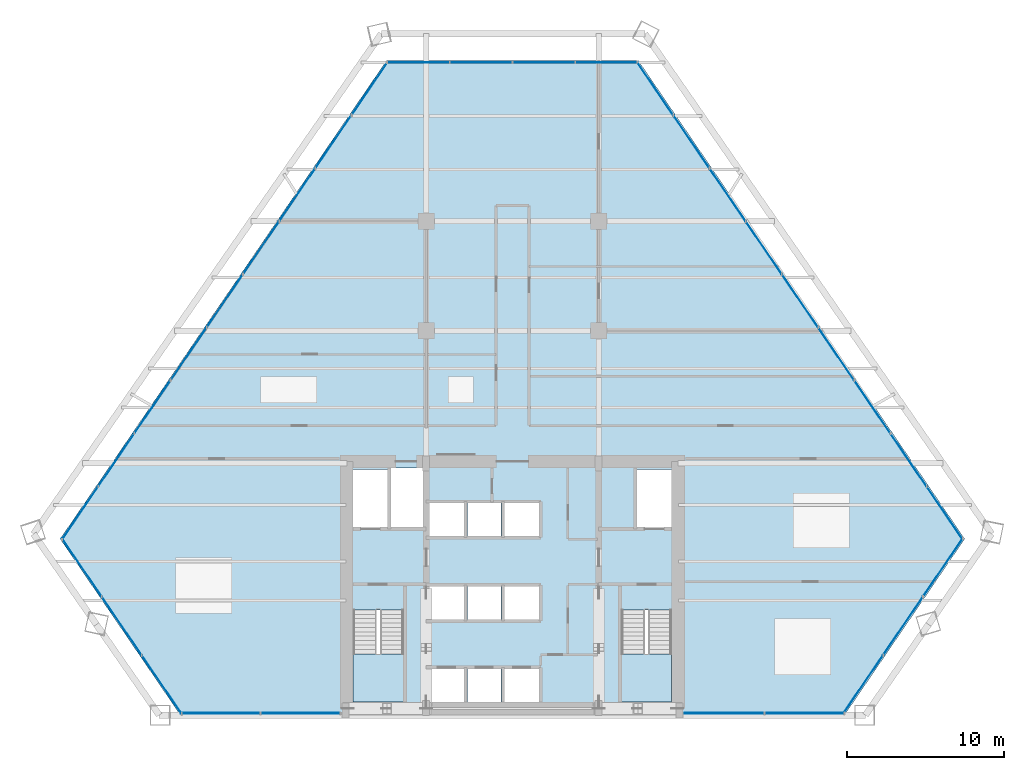
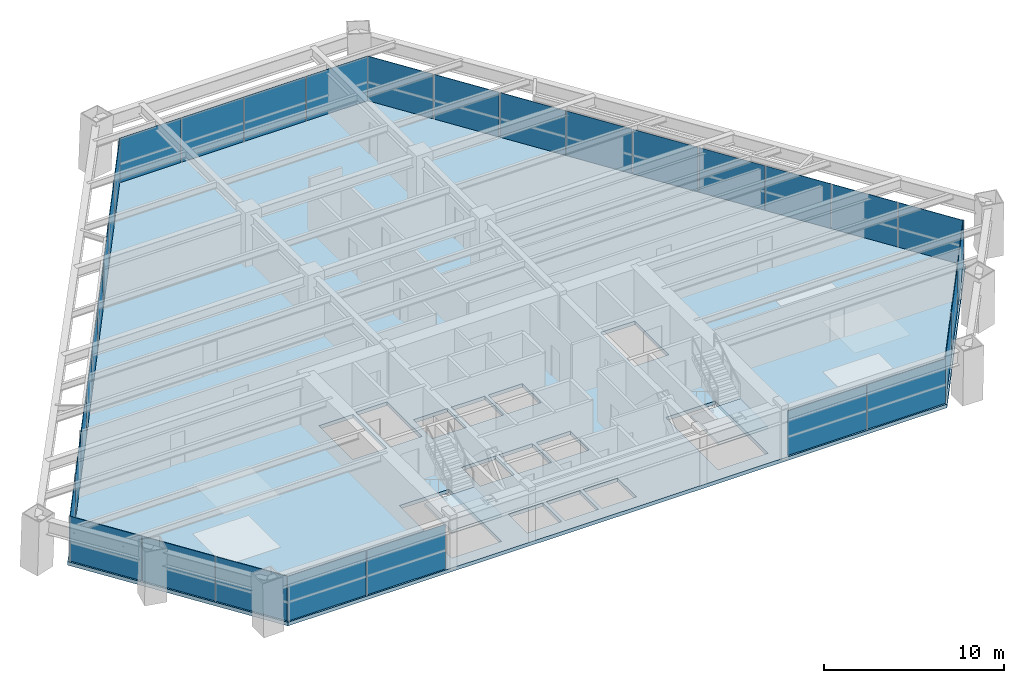
# One storey, part 9 of 13: 32 plates, 3 slabs, 9 elements without a shape of their own.
"""IFC4 building model written with IfcOpenShell, lengths in metres."""

from ifc_helpers import new_model, si_unit, direction, frame, origin, origin_2d, place, context, subcontext, project, spatial, polyline, rectangle, outline, extrude, source, transform, mapped, material, layer, layer_set, type_object, type_shapes, element, aggregate, save


model = new_model("IFC4")

# Units and contexts
model_context = context("Model", 3, precision=1e-05, world=origin(), true_north=direction((0.0, 1.0)))
body_context = subcontext(model_context, "Body", "Model", "MODEL_VIEW")
ifc_project = project(units=[si_unit("LENGTHUNIT", "METRE"), si_unit("AREAUNIT", "SQUARE_METRE"), si_unit("VOLUMEUNIT", "CUBIC_METRE"), si_unit("PLANEANGLEUNIT", "RADIAN"), si_unit("MASSUNIT", "GRAM", prefix="KILO")], contexts=[model_context])

# Site, building, storey
site_placement = place(None, origin())
site = spatial("IfcSite", under=ifc_project, at=site_placement, CompositionType="ELEMENT")
building_placement = place(site_placement, origin())
building = spatial("IfcBuilding", under=site, at=building_placement, Name="Varnakhor Terracotta Tower", CompositionType="ELEMENT")
storey_placement = place(building_placement, frame((0.0, 0.0, 27.5)))
storey = spatial("IfcBuildingStorey", under=building, at=storey_placement, Name="L05", CompositionType="ELEMENT", Elevation=27.5)

# Stair, slab
ifc_material_1 = material(Name="Concrete C40/50", Category="concrete")
stair_type = type_object("IfcStairType", Name="STR-CORE-OFFICE-1500", PredefinedType="HALF_TURN_STAIR", material=ifc_material_1)
stair_1_placement = place(storey_placement, origin())
stair_1 = element("IfcStair", 1, at=stair_1_placement, inside=storey, type_object=stair_type, Name="L05 Core Exit Stair ST-1", PredefinedType="HALF_TURN_STAIR")
ifc_layer_1 = layer(ifc_material_1, 0.179931640625, Name="Concrete C40/50")
ifc_layer_set_1 = layer_set([ifc_layer_1], Name="Concrete C40/50")
slab_type_1 = type_object("IfcSlabType", Name="SLB-LANDING-180", PredefinedType="LANDING", material=ifc_layer_set_1)
slab_1_placement = place(storey_placement, frame((0.0, 0.0, 1.64990234375)))
slab_1 = element("IfcSlab", 2, at=slab_1_placement, type_object=slab_type_1, Name="ST-1 landing 1", PredefinedType="LANDING", context=body_context, shape_type="SweptSolid", body=[
    extrude(outline(polyline([(-10.14990234375, 3.909912109375), (-10.14990234375, 0.85009765625), (-6.949951171875, 0.85009765625), (-6.949951171875, 3.909912109375), (-10.14990234375, 3.909912109375)])), origin(), (0.0, 0.0, 1.0), 0.2001953125),
])
aggregate(stair_1, [slab_1])

stair_2_placement = place(storey_placement, origin())
stair_2 = element("IfcStair", 3, at=stair_2_placement, inside=storey, type_object=stair_type, Name="L05 Core Exit Stair ST-2", PredefinedType="HALF_TURN_STAIR")
slab_2_placement = place(storey_placement, frame((0.0, 0.0, 1.64990234375)))
slab_2 = element("IfcSlab", 4, at=slab_2_placement, type_object=slab_type_1, Name="ST-2 landing 1", PredefinedType="LANDING", context=body_context, shape_type="SweptSolid", body=[
    extrude(outline(polyline([(6.949951171875, 3.909912109375), (6.949951171875, 0.85009765625), (10.14990234375, 0.85009765625), (10.14990234375, 3.909912109375), (6.949951171875, 3.909912109375)])), origin(), (0.0, 0.0, 1.0), 0.2001953125),
])
aggregate(stair_2, [slab_2])

# Slab
ifc_layer_2 = layer(ifc_material_1, 0.25, Name="Concrete C40/50")
ifc_layer_set_2 = layer_set([ifc_layer_2], Name="Concrete C40/50")
slab_type_2 = type_object("IfcSlabType", Name="SLB-OFF-250", PredefinedType="FLOOR", material=ifc_layer_set_2)
slab_3_placement = place(storey_placement, frame((0.0, 0.0, -0.25)))
element("IfcSlab", 5, at=slab_3_placement, inside=storey, type_object=slab_type_2, Name="L05 Structural Floor Slab", PredefinedType="FLOOR", context=body_context, shape_type="SweptSolid", body=[
    extrude(outline(polyline([(-28.8349609375, 11.235107421875), (-8.030029296875, 41.72998046875), (8.030029296875, 41.72998046875), (28.8349609375, 11.235107421875), (21.169921875, 0.0), (-21.169921875, 0.0), (-28.8349609375, 11.235107421875)]), holes=[polyline([(-3.10009765625, 0.85009765625), (-3.10009765625, 2.949951171875), (-5.300048828125, 2.949951171875), (-5.300048828125, 0.85009765625), (-3.10009765625, 0.85009765625)]), polyline([(-2.8798828125, 0.85009765625), (-0.719970703125, 0.85009765625), (-0.719970703125, 2.949951171875), (-2.8798828125, 2.949951171875), (-2.8798828125, 0.85009765625)]), polyline([(-10.14990234375, 0.85009765625), (-6.949951171875, 0.85009765625), (-6.949951171875, 6.695068359375), (-10.14990234375, 6.695068359375), (-10.14990234375, 0.85009765625)]), polyline([(-5.300048828125, 6.10009765625), (-3.10009765625, 6.10009765625), (-3.10009765625, 8.199951171875), (-5.300048828125, 8.199951171875), (-5.300048828125, 6.10009765625)]), polyline([(-5.300048828125, 11.419921875), (-3.10009765625, 11.419921875), (-3.10009765625, 13.52001953125), (-5.300048828125, 13.52001953125), (-5.300048828125, 11.419921875)]), polyline([(-10.14990234375, 11.8798828125), (-7.949951171875, 11.8798828125), (-7.949951171875, 15.64990234375), (-10.14990234375, 15.64990234375), (-10.14990234375, 11.8798828125)]), polyline([(-7.72998046875, 11.8798828125), (-5.699951171875, 11.8798828125), (-5.699951171875, 15.75), (-7.72998046875, 15.75), (-7.72998046875, 11.8798828125)]), polyline([(1.699951171875, 0.85009765625), (1.699951171875, 2.949951171875), (-0.5, 2.949951171875), (-0.5, 0.85009765625), (1.699951171875, 0.85009765625)]), polyline([(6.949951171875, 0.85009765625), (10.14990234375, 0.85009765625), (10.14990234375, 6.695068359375), (6.949951171875, 6.695068359375), (6.949951171875, 0.85009765625)]), polyline([(-2.8798828125, 6.10009765625), (-0.719970703125, 6.10009765625), (-0.719970703125, 8.199951171875), (-2.8798828125, 8.199951171875), (-2.8798828125, 6.10009765625)]), polyline([(-0.5, 6.10009765625), (1.699951171875, 6.10009765625), (1.699951171875, 8.199951171875), (-0.5, 8.199951171875), (-0.5, 6.10009765625)]), polyline([(-2.8798828125, 11.419921875), (-0.719970703125, 11.419921875), (-0.719970703125, 13.52001953125), (-2.8798828125, 13.52001953125), (-2.8798828125, 11.419921875)]), polyline([(-0.5, 11.419921875), (1.699951171875, 11.419921875), (1.699951171875, 13.52001953125), (-0.5, 13.52001953125), (-0.5, 11.419921875)]), polyline([(7.949951171875, 11.8798828125), (10.14990234375, 11.8798828125), (10.14990234375, 15.64990234375), (7.949951171875, 15.64990234375), (7.949951171875, 11.8798828125)])]), origin(), (0.0, 0.0, 1.0), 0.25),
])

# Curtain wall, plates
ifc_material_2 = material(Name="Anodised Aluminium Curtain Wall System", Category="aluminium")
curtain_wall_type = type_object("IfcCurtainWallType", Name="CW-SYS-LOW-OFFICE", PredefinedType="NOTDEFINED", material=ifc_material_2)
curtain_wall_1_placement = place(storey_placement, origin())
curtain_wall_1 = element("IfcCurtainWall", 6, at=curtain_wall_1_placement, inside=storey, type_object=curtain_wall_type, Name="L05 Facet Curtain Wall 1", PredefinedType="NOTDEFINED")
ifc_material_3 = material(Name="Solar-Control Low-E Insulated Glass Panel", Category="glass")
ifc_layer_3 = layer(ifc_material_3, 0.0380859375, Name="Solar-Control Low-E Insulated Glass Panel")
ifc_layer_set_3 = layer_set([ifc_layer_3], Name="Solar-Control Low-E Insulated Glass Panel")
plate_type = type_object("IfcPlateType", Name="CWP-02", PredefinedType="CURTAIN_PANEL", material=ifc_layer_set_3)
shared_shape_1 = source(origin(), body_context, "Body", "SweptSolid", [
    extrude(rectangle(XDim=4.05517578125, YDim=0.035888671875, at=origin_2d()), origin(), (0.0, 0.0, 1.0), 3.030029296875),
])
type_shapes(plate_type, [shared_shape_1])
plate_1_placement = place(storey_placement, frame((-27.56494140625, 12.883544921875, 0.0), z_axis=(0.0, 0.0, 1.0), x_axis=(0.563569302571, 0.826068787208, 0.0)))
plate_1 = element("IfcPlate", 7, at=plate_1_placement, type_object=plate_type, Name="L05 Facet Curtain Wall 1 Glazed Panel 1", PredefinedType="CURTAIN_PANEL", context=body_context, shape_type="MappedRepresentation", body=[
    mapped(shared_shape_1, transform((0.0, 0.0, 0.0), scale=1.0)),
])
plate_2_placement = place(storey_placement, frame((-25.257080078125, 16.266357421875, 0.0), z_axis=(0.0, 0.0, 1.0), x_axis=(0.563569302571, 0.826068787208, 0.0)))
plate_2 = element("IfcPlate", 8, at=plate_2_placement, type_object=plate_type, Name="L05 Facet Curtain Wall 1 Glazed Panel 2", PredefinedType="CURTAIN_PANEL", context=body_context, shape_type="MappedRepresentation", body=[
    mapped(shared_shape_1, transform((0.0, 0.0, 0.0), scale=1.0)),
])
plate_3_placement = place(storey_placement, frame((-22.94921875, 19.649169921875, 0.0), z_axis=(0.0, 0.0, 1.0), x_axis=(0.563569302571, 0.826068787208, 0.0)))
plate_3 = element("IfcPlate", 9, at=plate_3_placement, type_object=plate_type, Name="L05 Facet Curtain Wall 1 Glazed Panel 3", PredefinedType="CURTAIN_PANEL", context=body_context, shape_type="MappedRepresentation", body=[
    mapped(shared_shape_1, transform((0.0, 0.0, 0.0), scale=1.0)),
])
plate_4_placement = place(storey_placement, frame((-20.64111328125, 23.031982421875, 0.0), z_axis=(0.0, 0.0, 1.0), x_axis=(0.563569302571, 0.826068787208, 0.0)))
plate_4 = element("IfcPlate", 10, at=plate_4_placement, type_object=plate_type, Name="L05 Facet Curtain Wall 1 Glazed Panel 4", PredefinedType="CURTAIN_PANEL", context=body_context, shape_type="MappedRepresentation", body=[
    mapped(shared_shape_1, transform((0.0, 0.0, 0.0), scale=1.0)),
])
plate_5_placement = place(storey_placement, frame((-18.33349609375, 26.414794921875, 0.0), z_axis=(0.0, 0.0, 1.0), x_axis=(0.563569302571, 0.826068787208, 0.0)))
plate_5 = element("IfcPlate", 11, at=plate_5_placement, type_object=plate_type, Name="L05 Facet Curtain Wall 1 Glazed Panel 5", PredefinedType="CURTAIN_PANEL", context=body_context, shape_type="MappedRepresentation", body=[
    mapped(shared_shape_1, transform((0.0, 0.0, 0.0), scale=1.0)),
])
plate_6_placement = place(storey_placement, frame((-16.025390625, 29.797607421875, 0.0), z_axis=(0.0, 0.0, 1.0), x_axis=(0.563569302571, 0.826068787208, 0.0)))
plate_6 = element("IfcPlate", 12, at=plate_6_placement, type_object=plate_type, Name="L05 Facet Curtain Wall 1 Glazed Panel 6", PredefinedType="CURTAIN_PANEL", context=body_context, shape_type="MappedRepresentation", body=[
    mapped(shared_shape_1, transform((0.0, 0.0, 0.0), scale=1.0)),
])
plate_7_placement = place(storey_placement, frame((-13.717529296875, 33.180419921875, 0.0), z_axis=(0.0, 0.0, 1.0), x_axis=(0.563569302571, 0.826068787208, 0.0)))
plate_7 = element("IfcPlate", 13, at=plate_7_placement, type_object=plate_type, Name="L05 Facet Curtain Wall 1 Glazed Panel 7", PredefinedType="CURTAIN_PANEL", context=body_context, shape_type="MappedRepresentation", body=[
    mapped(shared_shape_1, transform((0.0, 0.0, 0.0), scale=1.0)),
])
plate_8_placement = place(storey_placement, frame((-11.40966796875, 36.563232421875, 0.0), z_axis=(0.0, 0.0, 1.0), x_axis=(0.563569302571, 0.826068787208, 0.0)))
plate_8 = element("IfcPlate", 14, at=plate_8_placement, type_object=plate_type, Name="L05 Facet Curtain Wall 1 Glazed Panel 8", PredefinedType="CURTAIN_PANEL", context=body_context, shape_type="MappedRepresentation", body=[
    mapped(shared_shape_1, transform((0.0, 0.0, 0.0), scale=1.0)),
])
plate_9_placement = place(storey_placement, frame((-9.101806640625, 39.9462890625, 0.0), z_axis=(0.0, 0.0, 1.0), x_axis=(0.563569302571, 0.826068787208, 0.0)))
plate_9 = element("IfcPlate", 15, at=plate_9_placement, type_object=plate_type, Name="L05 Facet Curtain Wall 1 Glazed Panel 9", PredefinedType="CURTAIN_PANEL", context=body_context, shape_type="MappedRepresentation", body=[
    mapped(shared_shape_1, transform((0.0, 0.0, 0.0), scale=1.0)),
])
aggregate(curtain_wall_1, [plate_1, plate_2, plate_3, plate_4, plate_5, plate_6, plate_7, plate_8, plate_9])

curtain_wall_2_placement = place(storey_placement, origin())
curtain_wall_2 = element("IfcCurtainWall", 16, at=curtain_wall_2_placement, inside=storey, type_object=curtain_wall_type, Name="L05 Facet Curtain Wall 3", PredefinedType="NOTDEFINED")
plate_10_placement = place(storey_placement, frame((9.101806640625, 39.9462890625, 0.0), z_axis=(0.0, 0.0, 1.0), x_axis=(0.563569302571, -0.826068787208, 0.0)))
plate_10 = element("IfcPlate", 17, at=plate_10_placement, type_object=plate_type, Name="L05 Facet Curtain Wall 3 Glazed Panel 1", PredefinedType="CURTAIN_PANEL", context=body_context, shape_type="MappedRepresentation", body=[
    mapped(shared_shape_1, transform((0.0, 0.0, 0.0), scale=1.0)),
])
plate_11_placement = place(storey_placement, frame((11.40966796875, 36.563232421875, 0.0), z_axis=(0.0, 0.0, 1.0), x_axis=(0.563569302571, -0.826068787208, 0.0)))
plate_11 = element("IfcPlate", 18, at=plate_11_placement, type_object=plate_type, Name="L05 Facet Curtain Wall 3 Glazed Panel 2", PredefinedType="CURTAIN_PANEL", context=body_context, shape_type="MappedRepresentation", body=[
    mapped(shared_shape_1, transform((0.0, 0.0, 0.0), scale=1.0)),
])
plate_12_placement = place(storey_placement, frame((13.717529296875, 33.180419921875, 0.0), z_axis=(0.0, 0.0, 1.0), x_axis=(0.563569302571, -0.826068787208, 0.0)))
plate_12 = element("IfcPlate", 19, at=plate_12_placement, type_object=plate_type, Name="L05 Facet Curtain Wall 3 Glazed Panel 3", PredefinedType="CURTAIN_PANEL", context=body_context, shape_type="MappedRepresentation", body=[
    mapped(shared_shape_1, transform((0.0, 0.0, 0.0), scale=1.0)),
])
plate_13_placement = place(storey_placement, frame((16.025390625, 29.797607421875, 0.0), z_axis=(0.0, 0.0, 1.0), x_axis=(0.563569302571, -0.826068787208, 0.0)))
plate_13 = element("IfcPlate", 20, at=plate_13_placement, type_object=plate_type, Name="L05 Facet Curtain Wall 3 Glazed Panel 4", PredefinedType="CURTAIN_PANEL", context=body_context, shape_type="MappedRepresentation", body=[
    mapped(shared_shape_1, transform((0.0, 0.0, 0.0), scale=1.0)),
])
plate_14_placement = place(storey_placement, frame((18.33349609375, 26.414794921875, 0.0), z_axis=(0.0, 0.0, 1.0), x_axis=(0.563569302571, -0.826068787208, 0.0)))
plate_14 = element("IfcPlate", 21, at=plate_14_placement, type_object=plate_type, Name="L05 Facet Curtain Wall 3 Glazed Panel 5", PredefinedType="CURTAIN_PANEL", context=body_context, shape_type="MappedRepresentation", body=[
    mapped(shared_shape_1, transform((0.0, 0.0, 0.0), scale=1.0)),
])
plate_15_placement = place(storey_placement, frame((20.64111328125, 23.031982421875, 0.0), z_axis=(0.0, 0.0, 1.0), x_axis=(0.563569302571, -0.826068787208, 0.0)))
plate_15 = element("IfcPlate", 22, at=plate_15_placement, type_object=plate_type, Name="L05 Facet Curtain Wall 3 Glazed Panel 6", PredefinedType="CURTAIN_PANEL", context=body_context, shape_type="MappedRepresentation", body=[
    mapped(shared_shape_1, transform((0.0, 0.0, 0.0), scale=1.0)),
])
plate_16_placement = place(storey_placement, frame((22.94921875, 19.649169921875, 0.0), z_axis=(0.0, 0.0, 1.0), x_axis=(0.563569302571, -0.826068787208, 0.0)))
plate_16 = element("IfcPlate", 23, at=plate_16_placement, type_object=plate_type, Name="L05 Facet Curtain Wall 3 Glazed Panel 7", PredefinedType="CURTAIN_PANEL", context=body_context, shape_type="MappedRepresentation", body=[
    mapped(shared_shape_1, transform((0.0, 0.0, 0.0), scale=1.0)),
])
plate_17_placement = place(storey_placement, frame((25.257080078125, 16.266357421875, 0.0), z_axis=(0.0, 0.0, 1.0), x_axis=(0.563569302571, -0.826068787208, 0.0)))
plate_17 = element("IfcPlate", 24, at=plate_17_placement, type_object=plate_type, Name="L05 Facet Curtain Wall 3 Glazed Panel 8", PredefinedType="CURTAIN_PANEL", context=body_context, shape_type="MappedRepresentation", body=[
    mapped(shared_shape_1, transform((0.0, 0.0, 0.0), scale=1.0)),
])
plate_18_placement = place(storey_placement, frame((27.56494140625, 12.883544921875, 0.0), z_axis=(0.0, 0.0, 1.0), x_axis=(0.563569302571, -0.826068787208, 0.0)))
plate_18 = element("IfcPlate", 25, at=plate_18_placement, type_object=plate_type, Name="L05 Facet Curtain Wall 3 Glazed Panel 9", PredefinedType="CURTAIN_PANEL", context=body_context, shape_type="MappedRepresentation", body=[
    mapped(shared_shape_1, transform((0.0, 0.0, 0.0), scale=1.0)),
])
aggregate(curtain_wall_2, [plate_10, plate_11, plate_12, plate_13, plate_14, plate_15, plate_16, plate_17, plate_18])

curtain_wall_3_placement = place(storey_placement, origin())
curtain_wall_3 = element("IfcCurtainWall", 26, at=curtain_wall_3_placement, inside=storey, type_object=curtain_wall_type, Name="L05 Facet Curtain Wall 2", PredefinedType="NOTDEFINED")
shared_shape_2 = source(origin(), body_context, "Body", "SweptSolid", [
    extrude(rectangle(XDim=3.9599609375, YDim=0.035888671875, at=origin_2d()), origin(), (0.0, 0.0, 1.0), 3.030029296875),
])
plate_19_placement = place(storey_placement, frame((-6.0, 41.610107421875, 0.0), z_axis=(0.0, 0.0, 1.0), x_axis=(1.0, 0.0, 0.0)))
plate_19 = element("IfcPlate", 27, at=plate_19_placement, type_object=plate_type, Name="L05 Facet Curtain Wall 2 Glazed Panel 1", PredefinedType="CURTAIN_PANEL", context=body_context, shape_type="MappedRepresentation", body=[
    mapped(shared_shape_2, transform((0.0, 0.0, 0.0), scale=1.0)),
])
plate_20_placement = place(storey_placement, frame((-2.0, 41.610107421875, 0.0), z_axis=(0.0, 0.0, 1.0), x_axis=(1.0, 0.0, 0.0)))
plate_20 = element("IfcPlate", 28, at=plate_20_placement, type_object=plate_type, Name="L05 Facet Curtain Wall 2 Glazed Panel 2", PredefinedType="CURTAIN_PANEL", context=body_context, shape_type="MappedRepresentation", body=[
    mapped(shared_shape_2, transform((0.0, 0.0, 0.0), scale=1.0)),
])
plate_21_placement = place(storey_placement, frame((2.0, 41.610107421875, 0.0), z_axis=(0.0, 0.0, 1.0), x_axis=(1.0, 0.0, 0.0)))
plate_21 = element("IfcPlate", 29, at=plate_21_placement, type_object=plate_type, Name="L05 Facet Curtain Wall 2 Glazed Panel 3", PredefinedType="CURTAIN_PANEL", context=body_context, shape_type="MappedRepresentation", body=[
    mapped(shared_shape_2, transform((0.0, 0.0, 0.0), scale=1.0)),
])
plate_22_placement = place(storey_placement, frame((6.0, 41.610107421875, 0.0), z_axis=(0.0, 0.0, 1.0), x_axis=(1.0, 0.0, 0.0)))
plate_22 = element("IfcPlate", 30, at=plate_22_placement, type_object=plate_type, Name="L05 Facet Curtain Wall 2 Glazed Panel 4", PredefinedType="CURTAIN_PANEL", context=body_context, shape_type="MappedRepresentation", body=[
    mapped(shared_shape_2, transform((0.0, 0.0, 0.0), scale=1.0)),
])
aggregate(curtain_wall_3, [plate_19, plate_20, plate_21, plate_22])

curtain_wall_4_placement = place(storey_placement, origin())
curtain_wall_4 = element("IfcCurtainWall", 31, at=curtain_wall_4_placement, inside=storey, type_object=curtain_wall_type, Name="L05 Facet Curtain Wall 4", PredefinedType="NOTDEFINED")
shared_shape_3 = source(origin(), body_context, "Body", "SweptSolid", [
    extrude(rectangle(XDim=4.473388671875, YDim=0.035888671875, at=origin_2d()), origin(), (0.0, 0.0, 1.0), 3.030029296875),
])
plate_23_placement = place(storey_placement, frame((27.447021484375, 9.41357421875, 0.0), z_axis=(0.0, 0.0, 1.0), x_axis=(-0.563569302571, -0.826068787208, 0.0)))
plate_23 = element("IfcPlate", 32, at=plate_23_placement, type_object=plate_type, Name="L05 Facet Curtain Wall 4 Glazed Panel 1", PredefinedType="CURTAIN_PANEL", context=body_context, shape_type="MappedRepresentation", body=[
    mapped(shared_shape_3, transform((0.0, 0.0, 0.0), scale=1.0)),
])
plate_24_placement = place(storey_placement, frame((24.9033203125, 5.685302734375, 0.0), z_axis=(0.0, 0.0, 1.0), x_axis=(-0.563569302571, -0.826068787208, 0.0)))
plate_24 = element("IfcPlate", 33, at=plate_24_placement, type_object=plate_type, Name="L05 Facet Curtain Wall 4 Glazed Panel 2", PredefinedType="CURTAIN_PANEL", context=body_context, shape_type="MappedRepresentation", body=[
    mapped(shared_shape_3, transform((0.0, 0.0, 0.0), scale=1.0)),
])
plate_25_placement = place(storey_placement, frame((22.359619140625, 1.956787109375, 0.0), z_axis=(0.0, 0.0, 1.0), x_axis=(-0.563569302571, -0.826068787208, 0.0)))
plate_25 = element("IfcPlate", 34, at=plate_25_placement, type_object=plate_type, Name="L05 Facet Curtain Wall 4 Glazed Panel 3", PredefinedType="CURTAIN_PANEL", context=body_context, shape_type="MappedRepresentation", body=[
    mapped(shared_shape_3, transform((0.0, 0.0, 0.0), scale=1.0)),
])
aggregate(curtain_wall_4, [plate_23, plate_24, plate_25])

curtain_wall_5_placement = place(storey_placement, origin())
curtain_wall_5 = element("IfcCurtainWall", 35, at=curtain_wall_5_placement, inside=storey, type_object=curtain_wall_type, Name="L05 Facet Curtain Wall 6", PredefinedType="NOTDEFINED")
plate_26_placement = place(storey_placement, frame((-22.359619140625, 1.956787109375, 0.0), z_axis=(0.0, 0.0, 1.0), x_axis=(-0.563569302571, 0.826068787208, 0.0)))
plate_26 = element("IfcPlate", 36, at=plate_26_placement, type_object=plate_type, Name="L05 Facet Curtain Wall 6 Glazed Panel 1", PredefinedType="CURTAIN_PANEL", context=body_context, shape_type="MappedRepresentation", body=[
    mapped(shared_shape_3, transform((0.0, 0.0, 0.0), scale=1.0)),
])
plate_27_placement = place(storey_placement, frame((-24.9033203125, 5.685302734375, 0.0), z_axis=(0.0, 0.0, 1.0), x_axis=(-0.563569302571, 0.826068787208, 0.0)))
plate_27 = element("IfcPlate", 37, at=plate_27_placement, type_object=plate_type, Name="L05 Facet Curtain Wall 6 Glazed Panel 2", PredefinedType="CURTAIN_PANEL", context=body_context, shape_type="MappedRepresentation", body=[
    mapped(shared_shape_3, transform((0.0, 0.0, 0.0), scale=1.0)),
])
plate_28_placement = place(storey_placement, frame((-27.447021484375, 9.41357421875, 0.0), z_axis=(0.0, 0.0, 1.0), x_axis=(-0.563569302571, 0.826068787208, 0.0)))
plate_28 = element("IfcPlate", 38, at=plate_28_placement, type_object=plate_type, Name="L05 Facet Curtain Wall 6 Glazed Panel 3", PredefinedType="CURTAIN_PANEL", context=body_context, shape_type="MappedRepresentation", body=[
    mapped(shared_shape_3, transform((0.0, 0.0, 0.0), scale=1.0)),
])
aggregate(curtain_wall_5, [plate_26, plate_27, plate_28])

curtain_wall_6_placement = place(storey_placement, origin())
curtain_wall_6 = element("IfcCurtainWall", 39, at=curtain_wall_6_placement, inside=storey, type_object=curtain_wall_type, Name="L05 South Wing Curtain Wall SSE", PredefinedType="NOTDEFINED")
shared_shape_4 = source(origin(), body_context, "Body", "SweptSolid", [
    extrude(rectangle(XDim=5.054931640625, YDim=0.035888671875, at=origin_2d()), origin(), (0.0, 0.0, 1.0), 3.030029296875),
])
plate_29_placement = place(storey_placement, frame((18.612548828125, 0.1201171875, 0.0), z_axis=(0.0, 0.0, 1.0), x_axis=(-1.0, 0.0, 0.0)))
plate_29 = element("IfcPlate", 40, at=plate_29_placement, type_object=plate_type, Name="L05 South Wing Curtain Wall SSE Glazed Panel 1", PredefinedType="CURTAIN_PANEL", context=body_context, shape_type="MappedRepresentation", body=[
    mapped(shared_shape_4, transform((0.0, 0.0, 0.0), scale=1.0)),
])
plate_30_placement = place(storey_placement, frame((13.517578125, 0.1201171875, 0.0), z_axis=(0.0, 0.0, 1.0), x_axis=(-1.0, 0.0, 0.0)))
plate_30 = element("IfcPlate", 41, at=plate_30_placement, type_object=plate_type, Name="L05 South Wing Curtain Wall SSE Glazed Panel 2", PredefinedType="CURTAIN_PANEL", context=body_context, shape_type="MappedRepresentation", body=[
    mapped(shared_shape_4, transform((0.0, 0.0, 0.0), scale=1.0)),
])
aggregate(curtain_wall_6, [plate_29, plate_30])

curtain_wall_7_placement = place(storey_placement, origin())
curtain_wall_7 = element("IfcCurtainWall", 42, at=curtain_wall_7_placement, inside=storey, type_object=curtain_wall_type, Name="L05 South Wing Curtain Wall SSW", PredefinedType="NOTDEFINED")
plate_31_placement = place(storey_placement, frame((-13.517578125, 0.1201171875, 0.0), z_axis=(0.0, 0.0, 1.0), x_axis=(-1.0, 0.0, 0.0)))
plate_31 = element("IfcPlate", 43, at=plate_31_placement, type_object=plate_type, Name="L05 South Wing Curtain Wall SSW Glazed Panel 1", PredefinedType="CURTAIN_PANEL", context=body_context, shape_type="MappedRepresentation", body=[
    mapped(shared_shape_4, transform((0.0, 0.0, 0.0), scale=1.0)),
])
plate_32_placement = place(storey_placement, frame((-18.612548828125, 0.1201171875, 0.0), z_axis=(0.0, 0.0, 1.0), x_axis=(-1.0, 0.0, 0.0)))
plate_32 = element("IfcPlate", 44, at=plate_32_placement, type_object=plate_type, Name="L05 South Wing Curtain Wall SSW Glazed Panel 2", PredefinedType="CURTAIN_PANEL", context=body_context, shape_type="MappedRepresentation", body=[
    mapped(shared_shape_4, transform((0.0, 0.0, 0.0), scale=1.0)),
])
aggregate(curtain_wall_7, [plate_31, plate_32])

save(model, "model.ifc")
